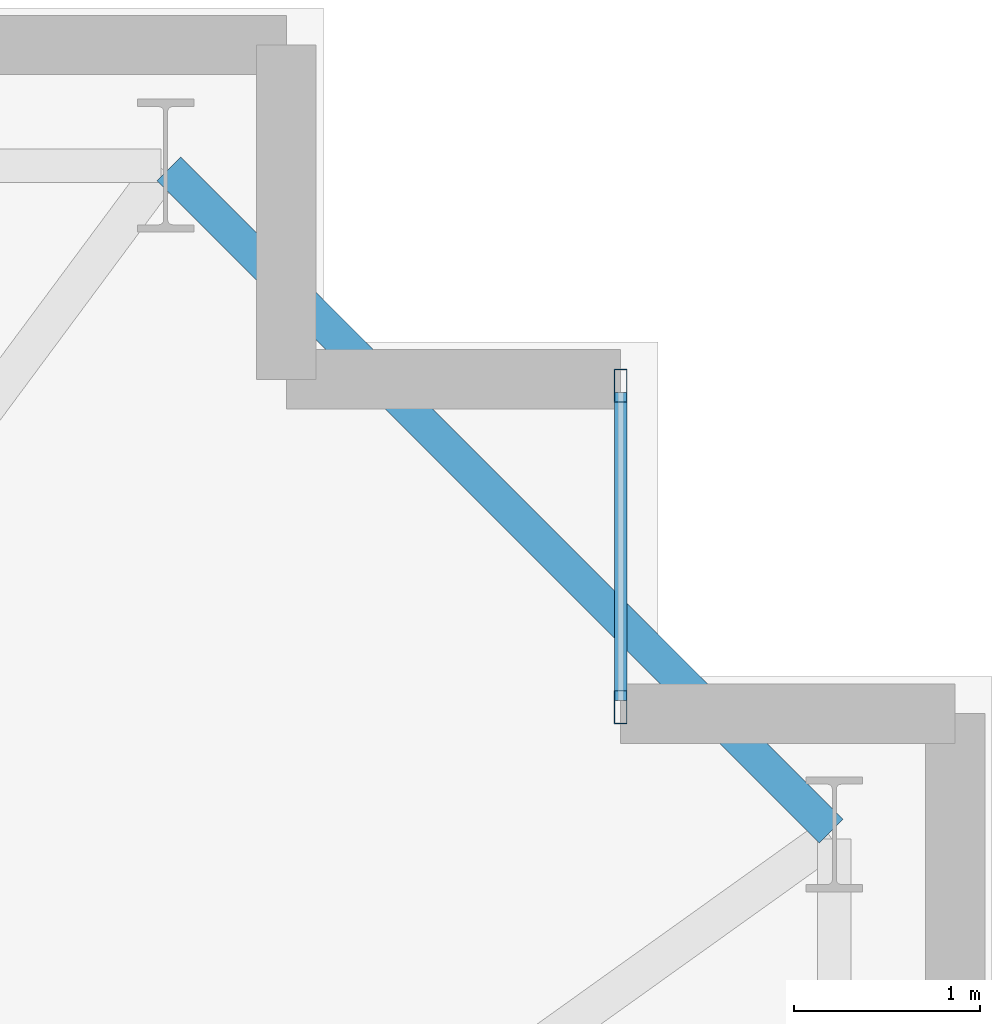
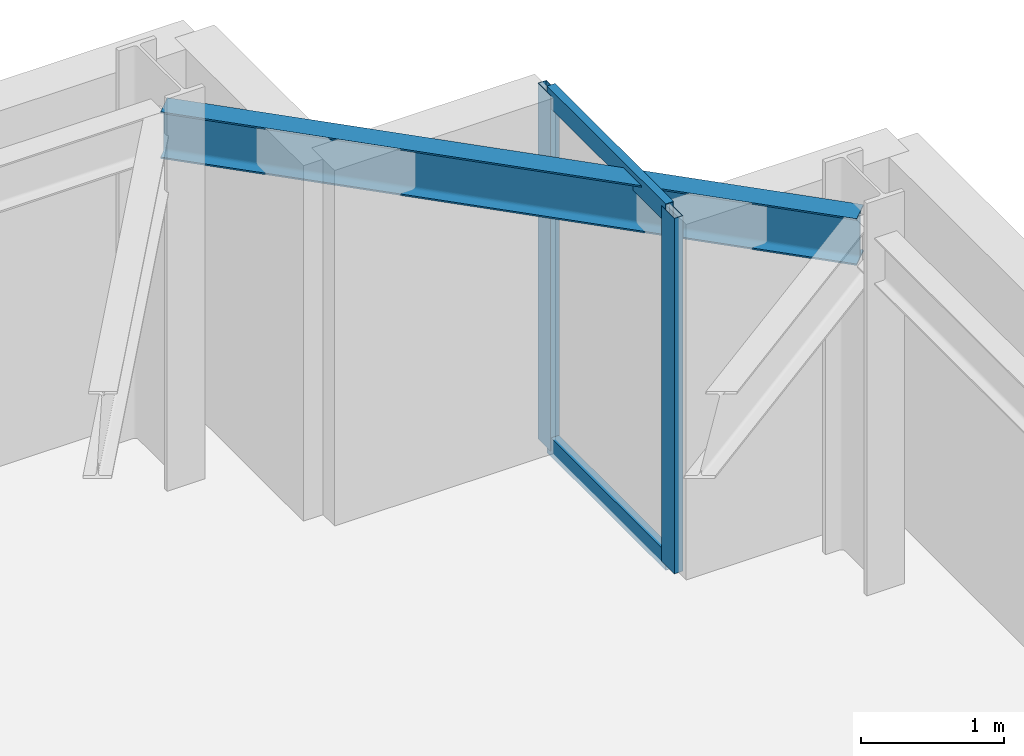
# One storey, part 12 of 21: 4 members, 1 beam, 1 element without a shape of its own.
"""IFC4 building model written with IfcOpenShell, lengths in metres."""

from ifc_helpers import new_model, si_unit, direction, frame, origin, origin_2d, place, context, subcontext, project, spatial, hollow_rectangle, i_section, extrude, material, layer, layer_set, material_profile, profile_set, type_object, element, aggregate, save


model = new_model("IFC4")

# Units and contexts
model_context = context("Model", 3, precision=1e-05, world=origin(), true_north=direction((0.0, 1.0)))
body_context = subcontext(model_context, "Body", "Model", "MODEL_VIEW")
ifc_project = project(units=[si_unit("LENGTHUNIT", "METRE"), si_unit("AREAUNIT", "SQUARE_METRE"), si_unit("VOLUMEUNIT", "CUBIC_METRE"), si_unit("PLANEANGLEUNIT", "RADIAN"), si_unit("MASSUNIT", "GRAM", prefix="KILO")], contexts=[model_context])

# Site, building, storey
site_placement = place(None, origin())
site = spatial("IfcSite", under=ifc_project, at=site_placement, CompositionType="ELEMENT")
building_placement = place(site_placement, origin())
building = spatial("IfcBuilding", under=site, at=building_placement, Name="Qobustan Lattice House", CompositionType="ELEMENT")
storey_placement = place(building_placement, frame((0.0, 0.0, 57.14990234375)))
storey = spatial("IfcBuildingStorey", under=building, at=storey_placement, Name="L15", CompositionType="ELEMENT", Elevation=57.14990234375)

# Beam
ifc_material_1 = material(Name="Steel S355", Category="steel")
ifc_material_profile_1 = material_profile(ifc_material_1, i_section(OverallWidth=0.179931640625, OverallDepth=0.39990234375, WebThickness=0.008544921875, FlangeThickness=0.013427734375, FilletRadius=0.02099609375, at=origin_2d()), Name="IPE400")
ifc_profile_set_1 = profile_set([ifc_material_profile_1], Name="Steel S355")
beam_type = type_object("IfcBeamType", Name="BM-SPD-IPE400", PredefinedType="SPANDREL", material=ifc_profile_set_1)
beam_placement = place(storey_placement, frame((32.13232421875, 15.167724609375, 2.835205078125), z_axis=(-0.707106781187, 0.707106781187, 0.0), x_axis=(-0.707106781187, -0.707106781187, 0.0)))
element("IfcBeam", 1, at=beam_placement, inside=storey, type_object=beam_type, Name="L15 perimeter spandrel E4-N1", PredefinedType="SPANDREL", context=body_context, shape_type="SweptSolid", body=[
    extrude(i_section(OverallWidth=0.179931640625, OverallDepth=0.39990234375, WebThickness=0.008544921875, FlangeThickness=0.013427734375, FilletRadius=0.02099609375, at=origin_2d()), origin(), (0.0, 0.0, 1.0), 5.041259765625),
])

# Curtain wall, members
ifc_material_2 = material(Name="Anodised aluminium and low-E glazing", Category="aluminium")
ifc_layer = layer(ifc_material_2, 0.219970703125)
ifc_layer_set = layer_set([ifc_layer], Name="Anodised aluminium and low-E glazing")
curtain_wall_type = type_object("IfcCurtainWallType", Name="CW-FAC-01", PredefinedType="USERDEFINED", material=ifc_layer_set)
curtain_wall_placement = place(storey_placement, origin())
curtain_wall = element("IfcCurtainWall", 2, at=curtain_wall_placement, inside=storey, type_object=curtain_wall_type, Name="L15 serrated corner faceted glazing 13", ObjectType="CURTAIN WALL", PredefinedType="USERDEFINED")
ifc_material_3 = material(Name="Anodised aluminium EN AW-6063 T6", Category="aluminium")
ifc_material_profile_2 = material_profile(ifc_material_3, hollow_rectangle(XDim=0.070068359375, YDim=0.179931640625, WallThickness=0.00439453125, at=origin_2d()), Name="CWM-180x70")
ifc_profile_set_2 = profile_set([ifc_material_profile_2], Name="Anodised aluminium EN AW-6063 T6")
member_type_1 = type_object("IfcMemberType", Name="CWM-STD-180", PredefinedType="MULLION", material=ifc_profile_set_2)
member_1_placement = place(storey_placement, frame((31.0, 17.56494140625, 0.0), z_axis=(0.0, 0.0, 1.0), x_axis=(1.0, 0.0, 0.0)))
member_1 = element("IfcMember", 3, at=member_1_placement, type_object=member_type_1, Name="CW-F1 mullion 1", PredefinedType="MULLION", context=body_context, shape_type="SweptSolid", body=[
    extrude(hollow_rectangle(XDim=0.070068359375, YDim=0.179931640625, WallThickness=0.00439453125, at=origin_2d()), origin(), (0.0, 0.0, 1.0), 3.03515625),
])
member_2_placement = place(storey_placement, frame((31.0, 15.8349609375, 0.0), z_axis=(0.0, 0.0, 1.0), x_axis=(1.0, 0.0, 0.0)))
member_2 = element("IfcMember", 4, at=member_2_placement, type_object=member_type_1, Name="CW-F1 mullion 2", PredefinedType="MULLION", context=body_context, shape_type="SweptSolid", body=[
    extrude(hollow_rectangle(XDim=0.070068359375, YDim=0.179931640625, WallThickness=0.00439453125, at=origin_2d()), origin(), (0.0, 0.0, 1.0), 3.03515625),
])
ifc_material_4 = material(Name="Anodised aluminium EN AW-6063 T6", Category="aluminium")
ifc_material_profile_3 = material_profile(ifc_material_4, hollow_rectangle(XDim=0.06494140625, YDim=0.159912109375, WallThickness=0.00390625, at=origin_2d()), Name="CWT-160x65")
ifc_profile_set_3 = profile_set([ifc_material_profile_3], Name="Anodised aluminium EN AW-6063 T6")
member_type_2 = type_object("IfcMemberType", Name="CWT-HOR-160", PredefinedType="USERDEFINED", material=ifc_profile_set_3)
member_3_placement = place(storey_placement, frame((31.0, 17.530029296875, 0.03271484375), z_axis=(0.0, -1.0, 0.0), x_axis=(1.0, 0.0, 0.0)))
member_3 = element("IfcMember", 5, at=member_3_placement, type_object=member_type_2, Name="CW-F1 transom 1.1", ObjectType="TRANSOM", PredefinedType="USERDEFINED", context=body_context, shape_type="SweptSolid", body=[
    extrude(hollow_rectangle(XDim=0.06494140625, YDim=0.159912109375, WallThickness=0.00390625, at=origin_2d()), origin(), (0.0, 0.0, 1.0), 1.659912109375),
])
member_4_placement = place(storey_placement, frame((31.0, 17.530029296875, 3.002685546875), z_axis=(0.0, -1.0, 0.0), x_axis=(1.0, 0.0, 0.0)))
member_4 = element("IfcMember", 6, at=member_4_placement, type_object=member_type_2, Name="CW-F1 transom 1.2", ObjectType="TRANSOM", PredefinedType="USERDEFINED", context=body_context, shape_type="SweptSolid", body=[
    extrude(hollow_rectangle(XDim=0.06494140625, YDim=0.159912109375, WallThickness=0.00390625, at=origin_2d()), origin(), (0.0, 0.0, 1.0), 1.659912109375),
])
aggregate(curtain_wall, [member_1, member_2, member_3, member_4])

save(model, "model.ifc")
